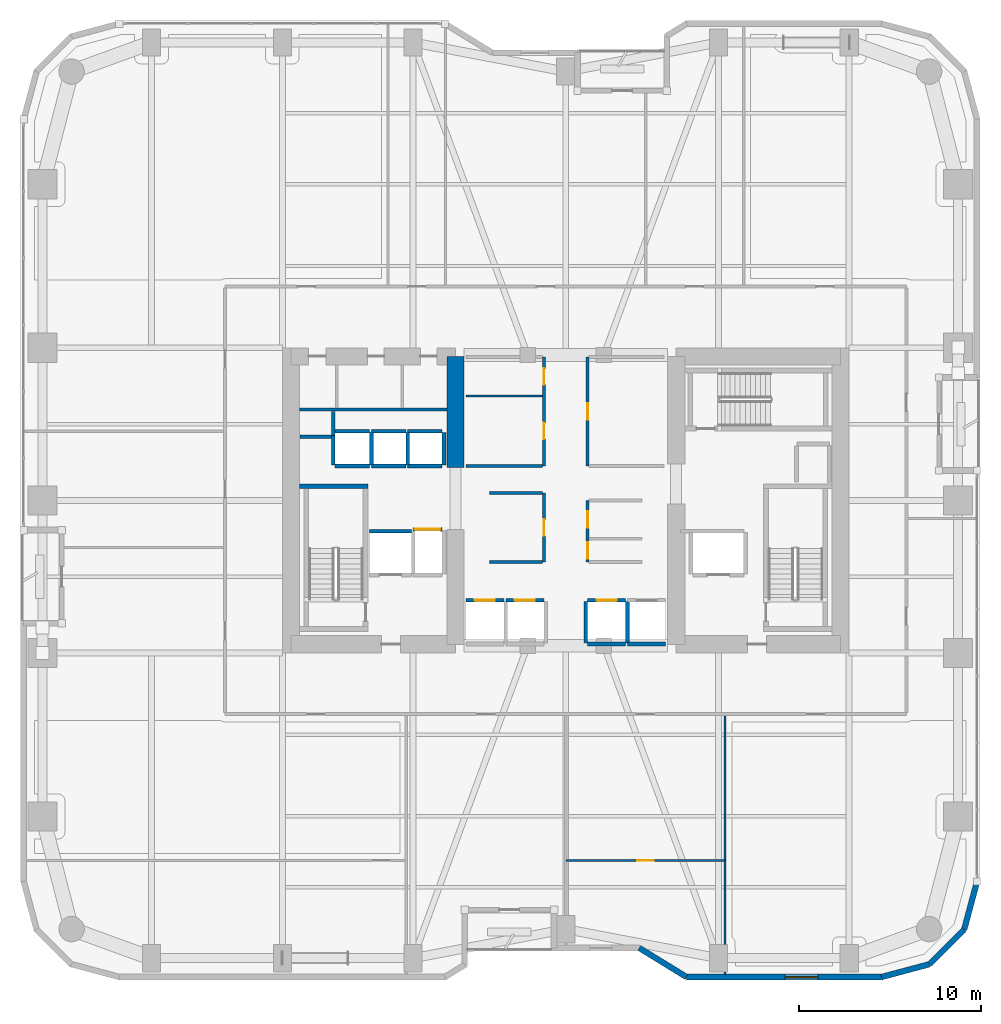
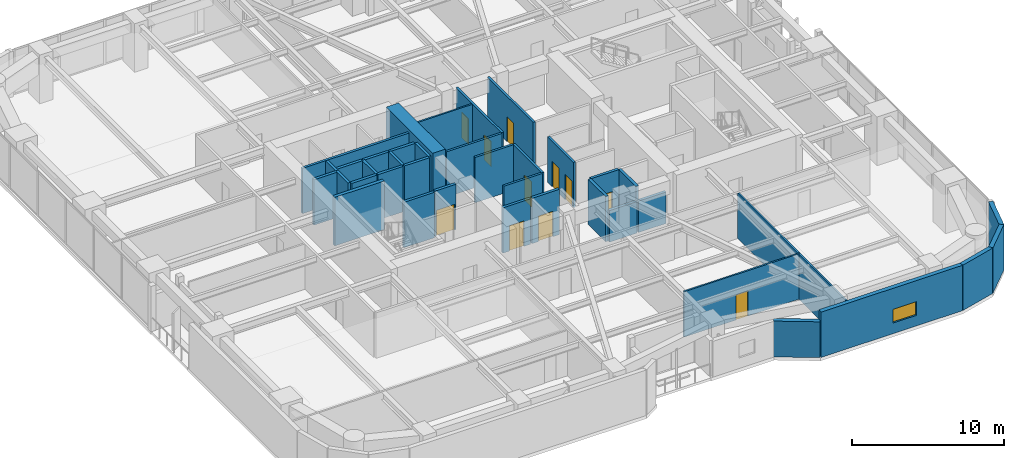
# One storey, part 19 of 24: 39 walls, 11 doors, 1 window, 12 openings.
"""IFC4 building model written with IfcOpenShell, lengths in metres."""

from ifc_helpers import new_model, si_unit, direction, frame, frame_2d, origin, place, context, subcontext, project, spatial, rectangle, extrude, material, layer, layer_set, type_object, element, fill, save


model = new_model("IFC4")

# Units and contexts
model_context = context("Model", 3, precision=1e-05, world=origin(), true_north=direction((0.0, 1.0)))
body_context = subcontext(model_context, "Body", "Model", "MODEL_VIEW")
ifc_project = project(units=[si_unit("LENGTHUNIT", "METRE"), si_unit("AREAUNIT", "SQUARE_METRE"), si_unit("VOLUMEUNIT", "CUBIC_METRE"), si_unit("PLANEANGLEUNIT", "RADIAN"), si_unit("MASSUNIT", "GRAM", prefix="KILO")], contexts=[model_context])

# Site, building, storey
site_placement = place(None, origin())
site = spatial("IfcSite", under=ifc_project, at=site_placement, CompositionType="ELEMENT")
building_placement = place(site_placement, origin())
building = spatial("IfcBuilding", under=site, at=building_placement, Name="Kiyonajd Concourse Tower", CompositionType="ELEMENT")
storey_placement = place(building_placement, frame((0.0, 0.0, 89.699951171875)))
storey = spatial("IfcBuildingStorey", under=building, at=storey_placement, Name="L23", CompositionType="ELEMENT", Elevation=89.699951171875)

# Walls
ifc_material_1 = material(Name="Concrete C80/95", Category="concrete")
ifc_layer_1 = layer(ifc_material_1, 0.949951171875)
ifc_layer_set_1 = layer_set([ifc_layer_1], Name="Concrete C80/95")
wall_type_1 = type_object("IfcWallType", Name="WL-CORE-950", PredefinedType="SHEAR", material=ifc_layer_set_1)
wall_1_placement = place(storey_placement, frame((41.925048828125, 37.800048828125, 0.0), z_axis=(0.0, 0.0, 1.0), x_axis=(0.0, 1.0, 0.0)))
element("IfcWall", 1, at=wall_1_placement, inside=storey, type_object=wall_type_1, Name="L23 West Core Inner North Shear Wall", PredefinedType="SHEAR", context=body_context, shape_type="SweptSolid", body=[
    extrude(rectangle(XDim=6.125, YDim=0.949951171875, at=frame_2d((3.0625, 0.0))), origin(), (0.0, 0.0, 1.0), 3.900146484375),
])
ifc_material_2 = material(Name="Precast concrete C50/60", Category="concrete")
ifc_layer_2 = layer(ifc_material_2, 0.320068359375)
ifc_layer_set_2 = layer_set([ifc_layer_2], Name="Precast concrete C50/60")
wall_type_2 = type_object("IfcWallType", Name="WL-EXT-320", PredefinedType="SOLIDWALL", material=ifc_layer_set_2)
wall_2_placement = place(storey_placement, frame((70.639892578125, 15.02099609375, 0.0), z_axis=(0.0, 0.0, 1.0), x_axis=(-0.258613949072, -0.965980758269, 0.0)))
element("IfcWall", 2, at=wall_2_placement, inside=storey, type_object=wall_type_2, Name="L23 Exterior Concrete Frame Wall 25", PredefinedType="SOLIDWALL", context=body_context, shape_type="SweptSolid", body=[
    extrude(rectangle(XDim=2.731201171875, YDim=0.320068359375, at=frame_2d((1.36572265625, 0.0))), origin(), (0.0, 0.0, 1.0), 3.64013671875),
])
wall_3_placement = place(storey_placement, frame((69.93359375, 12.3828125, 0.0), z_axis=(0.0, 0.0, 1.0), x_axis=(-0.707151821269, -0.707061738235, 0.0)))
element("IfcWall", 3, at=wall_3_placement, inside=storey, type_object=wall_type_2, Name="L23 Exterior Concrete Frame Wall 26", PredefinedType="SOLIDWALL", context=body_context, shape_type="SweptSolid", body=[
    extrude(rectangle(XDim=2.710205078125, YDim=0.320068359375, at=frame_2d((1.35498046875, 0.0))), origin(), (0.0, 0.0, 1.0), 3.64013671875),
])
wall_4_placement = place(storey_placement, frame((68.01708984375, 10.466552734375, 0.0), z_axis=(0.0, 0.0, 1.0), x_axis=(-0.965958423373, -0.25869736047, 0.0)))
element("IfcWall", 4, at=wall_4_placement, inside=storey, type_object=wall_type_2, Name="L23 Exterior Concrete Frame Wall 27", PredefinedType="SOLIDWALL", context=body_context, shape_type="SweptSolid", body=[
    extrude(rectangle(XDim=2.731201171875, YDim=0.320068359375, at=frame_2d((1.36572265625, 0.0))), origin(), (0.0, 0.0, 1.0), 3.64013671875),
])

# Wall, opening, window
wall_5_placement = place(storey_placement, frame((65.37890625, 9.760009765625, 0.0), z_axis=(0.0, 0.0, 1.0), x_axis=(-1.0, 0.0, 0.0)))
wall_5 = element("IfcWall", 5, at=wall_5_placement, inside=storey, type_object=wall_type_2, Name="L23 Exterior Concrete Frame Wall 28", PredefinedType="SOLIDWALL", context=body_context, shape_type="SweptSolid", body=[
    extrude(rectangle(XDim=10.733642578125, YDim=0.320068359375, at=frame_2d((5.36669921875, 0.0))), origin(), (0.0, 0.0, 1.0), 3.64013671875),
])
opening_1_placement = place(wall_5_placement, frame((3.4990234375, 0.0, 0.85009765625)))
opening_1 = element("IfcOpeningElement", 6, at=opening_1_placement, cuts=wall_5, Name="Opening WN1", PredefinedType="OPENING", context=body_context, shape_type="SweptSolid", body=[
    extrude(rectangle(XDim=1.800048828125, YDim=1.10009765625, at=frame_2d((0.89990234375, 0.550048828125))), frame((0.0, 0.169921875, 0.0), z_axis=(0.0, -1.0, 0.0), x_axis=(1.0, 0.0, 0.0)), (0.0, 0.0, 1.0), 0.340087890625),
])
ifc_material_3 = material(Name="Double Low-E Insulated Glass", Category="glass")
window_type = type_object("IfcWindowType", Name="WN-VIS-1800x1100", PartitioningType="SINGLE_PANEL", PredefinedType="WINDOW", material=ifc_material_3)
window_placement = place(opening_1_placement, origin())
window = element("IfcWindow", 7, at=window_placement, inside=storey, type_object=window_type, Name="L23 Modular Facade Vision Window 28", OverallHeight=1.10009765625, OverallWidth=1.800048828125, PartitioningType="SINGLE_PANEL", PredefinedType="WINDOW", context=body_context, shape_type="SweptSolid", body=[
    extrude(rectangle(XDim=1.800048828125, YDim=1.10009765625, at=frame_2d((0.89990234375, 0.550048828125))), frame((0.0, 0.030029296875, 0.0), z_axis=(0.0, -1.0, 0.0), x_axis=(1.0, 0.0, 0.0)), (0.0, 0.0, 1.0), 0.06005859375),
])
fill(opening_1, window)

# Walls
wall_6_placement = place(storey_placement, frame((54.645263671875, 9.760009765625, 0.0), z_axis=(0.0, 0.0, 1.0), x_axis=(-0.851630857047, 0.524142044989, 0.0)))
element("IfcWall", 8, at=wall_6_placement, inside=storey, type_object=wall_type_2, Name="L23 Exterior Concrete Frame Wall 29", PredefinedType="SOLIDWALL", context=body_context, shape_type="SweptSolid", body=[
    extrude(rectangle(XDim=3.052734375, YDim=0.320068359375, at=frame_2d((1.5263671875, 0.0))), origin(), (0.0, 0.0, 1.0), 2.875),
])
ifc_material_4 = material(Name="Gypsum Board on Cold-Formed Steel Stud", Category="steel")
ifc_layer_3 = layer(ifc_material_4, 0.125)
ifc_layer_set_3 = layer_set([ifc_layer_3], Name="Gypsum Board on Cold-Formed Steel Stud")
wall_type_3 = type_object("IfcWallType", Name="WL-PART-125", PredefinedType="PARTITIONING", material=ifc_layer_set_3)
wall_7_placement = place(storey_placement, frame((42.5, 41.739990234375, 0.0), z_axis=(0.0, 0.0, 1.0), x_axis=(1.0, 0.0, 0.0)))
element("IfcWall", 9, at=wall_7_placement, inside=storey, type_object=wall_type_3, Name="L23 Interior Partition Wall", PredefinedType="PARTITIONING", context=body_context, shape_type="SweptSolid", body=[
    extrude(rectangle(XDim=4.212890625, YDim=0.125, at=frame_2d((2.1064453125, 0.0))), origin(), (0.0, 0.0, 1.0), 3.64013671875),
])

# Wall, opening, door
wall_8_placement = place(storey_placement, frame((48.0, 16.179931640625, 0.0), z_axis=(0.0, 0.0, 1.0), x_axis=(1.0, 0.0, 0.0)))
wall_8 = element("IfcWall", 10, at=wall_8_placement, inside=storey, type_object=wall_type_3, Name="L23 Interior Partition Wall", PredefinedType="PARTITIONING", context=body_context, shape_type="SweptSolid", body=[
    extrude(rectangle(XDim=8.77001953125, YDim=0.125, at=frame_2d((4.385009765625, 0.0))), origin(), (0.0, 0.0, 1.0), 3.64013671875),
])
opening_2_placement = place(wall_8_placement, frame((3.93505859375, 0.0, 0.0)))
opening_2 = element("IfcOpeningElement", 11, at=opening_2_placement, cuts=wall_8, Name="Opening DI2", PredefinedType="OPENING", context=body_context, shape_type="SweptSolid", body=[
    extrude(rectangle(XDim=0.89990234375, YDim=2.02001953125, at=frame_2d((0.449951171875, 1.010009765625))), frame((0.0, 0.072509765625, 0.0), z_axis=(0.0, -1.0, 0.0), x_axis=(1.0, 0.0, 0.0)), (0.0, 0.0, 1.0), 0.14501953125),
])
ifc_material_5 = material(Name="Natural Oak Acoustic Timber Veneer", Category="wood")
door_type_1 = type_object("IfcDoorType", Name="DR-INT-900", OperationType="NOTDEFINED", PredefinedType="DOOR", material=ifc_material_5)
door_1_placement = place(opening_2_placement, origin())
door_1 = element("IfcDoor", 12, at=door_1_placement, inside=storey, type_object=door_type_1, Name="L23 Interior Door", OperationType="SINGLE_SWING_LEFT", OverallHeight=2.02001953125, OverallWidth=0.89990234375, PredefinedType="DOOR", context=body_context, shape_type="SweptSolid", body=[
    extrude(rectangle(XDim=0.89990234375, YDim=2.02001953125, at=frame_2d((0.449951171875, 1.010009765625))), frame((0.0, 0.02490234375, 0.0), z_axis=(0.0, -1.0, 0.0), x_axis=(1.0, 0.0, 0.0)), (0.0, 0.0, 1.0), 0.050048828125),
])
fill(opening_2, door_1)

# Walls
wall_9_placement = place(storey_placement, frame((56.77001953125, 9.9150390625, 0.0), z_axis=(0.0, 0.0, 1.0), x_axis=(0.0, 1.0, 0.0)))
element("IfcWall", 13, at=wall_9_placement, inside=storey, type_object=wall_type_3, Name="L23 Interior Partition Wall", PredefinedType="PARTITIONING", context=body_context, shape_type="SweptSolid", body=[
    extrude(rectangle(XDim=14.22802734375, YDim=0.125, at=frame_2d((7.114013671875, 0.0))), origin(), (0.0, 0.0, 1.0), 3.64013671875),
])
ifc_layer_4 = layer(ifc_material_4, 0.18994140625)
ifc_layer_set_4 = layer_set([ifc_layer_4], Name="Gypsum Board on Cold-Formed Steel Stud")
wall_type_4 = type_object("IfcWallType", Name="WL-PLMB-190", PredefinedType="PLUMBINGWALL", material=ifc_layer_set_4)
wall_10_placement = place(storey_placement, frame((33.35009765625, 41.0, 0.0), z_axis=(0.0, 0.0, 1.0), x_axis=(1.0, 0.0, 0.0)))
element("IfcWall", 14, at=wall_10_placement, inside=storey, type_object=wall_type_4, Name="L23 Interior Partition Wall", PredefinedType="PLUMBINGWALL", context=body_context, shape_type="SweptSolid", body=[
    extrude(rectangle(XDim=8.099853515625, YDim=0.18994140625, at=frame_2d((4.0498046875, 0.0))), origin(), (0.0, 0.0, 1.0), 3.64013671875),
])
ifc_layer_5 = layer(ifc_material_4, 0.2099609375)
ifc_layer_set_5 = layer_set([ifc_layer_5], Name="Gypsum Board on Cold-Formed Steel Stud")
wall_type_5 = type_object("IfcWallType", Name="WL-SHAFT-210", PredefinedType="PARTITIONING", material=ifc_layer_set_5)
wall_11_placement = place(storey_placement, frame((33.360107421875, 39.5, 0.0), z_axis=(0.0, 0.0, 1.0), x_axis=(1.0, 0.0, 0.0)))
element("IfcWall", 15, at=wall_11_placement, inside=storey, type_object=wall_type_5, Name="L23 Shaft Enclosure Wall", PredefinedType="PARTITIONING", context=body_context, shape_type="SweptSolid", body=[
    extrude(rectangle(XDim=1.85986328125, YDim=0.2099609375, at=frame_2d((0.929931640625, 0.0))), origin(), (0.0, 0.0, 1.0), 3.64013671875),
])
wall_12_placement = place(storey_placement, frame((35.199951171875, 39.580078125, 0.0), z_axis=(0.0, 0.0, 1.0), x_axis=(0.0, 1.0, 0.0)))
element("IfcWall", 16, at=wall_12_placement, inside=storey, type_object=wall_type_5, Name="L23 Shaft Enclosure Wall", PredefinedType="PARTITIONING", context=body_context, shape_type="SweptSolid", body=[
    extrude(rectangle(XDim=1.31982421875, YDim=0.2099609375, at=frame_2d((0.659912109375, 0.0))), origin(), (0.0, 0.0, 1.0), 3.64013671875),
])
wall_13_placement = place(storey_placement, frame((37.199951171875, 34.300048828125, 0.0), z_axis=(0.0, 0.0, 1.0), x_axis=(1.0, 0.0, 0.0)))
element("IfcWall", 17, at=wall_13_placement, inside=storey, type_object=wall_type_5, Name="L23 Shaft Enclosure Wall", PredefinedType="PARTITIONING", context=body_context, shape_type="SweptSolid", body=[
    extrude(rectangle(XDim=2.300048828125, YDim=0.2099609375, at=frame_2d((1.14990234375, 0.0))), origin(), (0.0, 0.0, 1.0), 3.64013671875),
])

# Wall, opening, door
wall_14_placement = place(storey_placement, frame((39.60009765625, 34.39990234375, 0.0), z_axis=(0.0, 0.0, 1.0), x_axis=(1.0, 0.0, 0.0)))
wall_14 = element("IfcWall", 18, at=wall_14_placement, inside=storey, type_object=wall_type_5, Name="L23 Shaft Enclosure Wall", PredefinedType="PARTITIONING", context=body_context, shape_type="SweptSolid", body=[
    extrude(rectangle(XDim=1.599853515625, YDim=0.2099609375, at=frame_2d((0.7998046875, 0.0))), origin(), (0.0, 0.0, 1.0), 3.64013671875),
])
opening_3_placement = place(wall_14_placement, frame((0.10009765625, 0.0, 0.0)))
opening_3 = element("IfcOpeningElement", 19, at=opening_3_placement, cuts=wall_14, Name="Opening LD3", PredefinedType="OPENING", context=body_context, shape_type="SweptSolid", body=[
    extrude(rectangle(XDim=1.39990234375, YDim=2.06005859375, at=frame_2d((0.699951171875, 1.030029296875))), frame((0.0, 0.114990234375, 0.0), z_axis=(0.0, -1.0, 0.0), x_axis=(1.0, 0.0, 0.0)), (0.0, 0.0, 1.0), 0.22998046875),
])
ifc_material_6 = material(Name="Brushed Stainless Steel Cab Assembly", Category="steel")
door_type_2 = type_object("IfcDoorType", Name="DR-LD-1400", OperationType="DOUBLE_DOOR_SLIDING", PredefinedType="DOOR", material=ifc_material_6)
door_2_placement = place(opening_3_placement, origin())
door_2 = element("IfcDoor", 20, at=door_2_placement, inside=storey, type_object=door_type_2, Name="L23 Lift SVL1 Sliding Landing Door", OperationType="DOUBLE_DOOR_SLIDING", OverallHeight=2.06005859375, OverallWidth=1.39990234375, PredefinedType="DOOR", context=body_context, shape_type="SweptSolid", body=[
    extrude(rectangle(XDim=1.39990234375, YDim=2.06005859375, at=frame_2d((0.699951171875, 1.030029296875))), frame((0.0, 0.02490234375, 0.0), z_axis=(0.0, -1.0, 0.0), x_axis=(1.0, 0.0, 0.0)), (0.0, 0.0, 1.0), 0.050048828125),
])
fill(opening_3, door_2)

wall_15_placement = place(storey_placement, frame((42.5, 30.5, 0.0), z_axis=(0.0, 0.0, 1.0), x_axis=(1.0, 0.0, 0.0)))
wall_15 = element("IfcWall", 21, at=wall_15_placement, inside=storey, type_object=wall_type_5, Name="L23 Shaft Enclosure Wall", PredefinedType="PARTITIONING", context=body_context, shape_type="SweptSolid", body=[
    extrude(rectangle(XDim=2.10009765625, YDim=0.2099609375, at=frame_2d((1.050048828125, 0.0))), origin(), (0.0, 0.0, 1.0), 3.64013671875),
])
opening_4_placement = place(wall_15_placement, frame((0.5, 0.0, 0.0)))
opening_4 = element("IfcOpeningElement", 22, at=opening_4_placement, cuts=wall_15, Name="Opening LD1", PredefinedType="OPENING", context=body_context, shape_type="SweptSolid", body=[
    extrude(rectangle(XDim=1.10009765625, YDim=2.0400390625, at=frame_2d((0.550048828125, 1.02001953125))), frame((0.0, 0.114990234375, 0.0), z_axis=(0.0, -1.0, 0.0), x_axis=(1.0, 0.0, 0.0)), (0.0, 0.0, 1.0), 0.22998046875),
])
door_type_3 = type_object("IfcDoorType", Name="DR-LD-1100", OperationType="DOUBLE_DOOR_SLIDING", PredefinedType="DOOR", material=ifc_material_6)
door_3_placement = place(opening_4_placement, origin())
door_3 = element("IfcDoor", 23, at=door_3_placement, inside=storey, type_object=door_type_3, Name="L23 Lift PL-L1 Sliding Landing Door", OperationType="DOUBLE_DOOR_SLIDING", OverallHeight=2.0400390625, OverallWidth=1.10009765625, PredefinedType="DOOR", context=body_context, shape_type="SweptSolid", body=[
    extrude(rectangle(XDim=1.10009765625, YDim=2.0400390625, at=frame_2d((0.550048828125, 1.02001953125))), frame((0.0, 0.02490234375, 0.0), z_axis=(0.0, -1.0, 0.0), x_axis=(1.0, 0.0, 0.0)), (0.0, 0.0, 1.0), 0.050048828125),
])
fill(opening_4, door_3)

wall_16_placement = place(storey_placement, frame((44.699951171875, 30.5, 0.0), z_axis=(0.0, 0.0, 1.0), x_axis=(1.0, 0.0, 0.0)))
wall_16 = element("IfcWall", 24, at=wall_16_placement, inside=storey, type_object=wall_type_5, Name="L23 Shaft Enclosure Wall", PredefinedType="PARTITIONING", context=body_context, shape_type="SweptSolid", body=[
    extrude(rectangle(XDim=2.10009765625, YDim=0.2099609375, at=frame_2d((1.050048828125, 0.0))), origin(), (0.0, 0.0, 1.0), 3.64013671875),
])
opening_5_placement = place(wall_16_placement, frame((0.5, 0.0, 0.0)))
opening_5 = element("IfcOpeningElement", 25, at=opening_5_placement, cuts=wall_16, Name="Opening LD1", PredefinedType="OPENING", context=body_context, shape_type="SweptSolid", body=[
    extrude(rectangle(XDim=1.10009765625, YDim=2.0400390625, at=frame_2d((0.550048828125, 1.02001953125))), frame((0.0, 0.114990234375, 0.0), z_axis=(0.0, -1.0, 0.0), x_axis=(1.0, 0.0, 0.0)), (0.0, 0.0, 1.0), 0.22998046875),
])
door_4_placement = place(opening_5_placement, origin())
door_4 = element("IfcDoor", 26, at=door_4_placement, inside=storey, type_object=door_type_3, Name="L23 Lift PL-L2 Sliding Landing Door", OperationType="DOUBLE_DOOR_SLIDING", OverallHeight=2.0400390625, OverallWidth=1.10009765625, PredefinedType="DOOR", context=body_context, shape_type="SweptSolid", body=[
    extrude(rectangle(XDim=1.10009765625, YDim=2.0400390625, at=frame_2d((0.550048828125, 1.02001953125))), frame((0.0, 0.02490234375, 0.0), z_axis=(0.0, -1.0, 0.0), x_axis=(1.0, 0.0, 0.0)), (0.0, 0.0, 1.0), 0.050048828125),
])
fill(opening_5, door_4)

wall_17_placement = place(storey_placement, frame((49.199951171875, 30.5, 0.0), z_axis=(0.0, 0.0, 1.0), x_axis=(1.0, 0.0, 0.0)))
wall_17 = element("IfcWall", 27, at=wall_17_placement, inside=storey, type_object=wall_type_5, Name="L23 Shaft Enclosure Wall", PredefinedType="PARTITIONING", context=body_context, shape_type="SweptSolid", body=[
    extrude(rectangle(XDim=2.10009765625, YDim=0.2099609375, at=frame_2d((1.050048828125, 0.0))), origin(), (0.0, 0.0, 1.0), 3.64013671875),
])
opening_6_placement = place(wall_17_placement, frame((0.5, 0.0, 0.0)))
opening_6 = element("IfcOpeningElement", 28, at=opening_6_placement, cuts=wall_17, Name="Opening LD1", PredefinedType="OPENING", context=body_context, shape_type="SweptSolid", body=[
    extrude(rectangle(XDim=1.10009765625, YDim=2.0400390625, at=frame_2d((0.550048828125, 1.02001953125))), frame((0.0, 0.114990234375, 0.0), z_axis=(0.0, -1.0, 0.0), x_axis=(1.0, 0.0, 0.0)), (0.0, 0.0, 1.0), 0.22998046875),
])
door_5_placement = place(opening_6_placement, origin())
door_5 = element("IfcDoor", 29, at=door_5_placement, inside=storey, type_object=door_type_3, Name="L23 Lift PL-L3 Sliding Landing Door", OperationType="DOUBLE_DOOR_SLIDING", OverallHeight=2.0400390625, OverallWidth=1.10009765625, PredefinedType="DOOR", context=body_context, shape_type="SweptSolid", body=[
    extrude(rectangle(XDim=1.10009765625, YDim=2.0400390625, at=frame_2d((0.550048828125, 1.02001953125))), frame((0.0, 0.02490234375, 0.0), z_axis=(0.0, -1.0, 0.0), x_axis=(1.0, 0.0, 0.0)), (0.0, 0.0, 1.0), 0.050048828125),
])
fill(opening_6, door_5)

# Walls
wall_18_placement = place(storey_placement, frame((49.199951171875, 28.10009765625, 0.0), z_axis=(0.0, 0.0, 1.0), x_axis=(1.0, 0.0, 0.0)))
element("IfcWall", 30, at=wall_18_placement, inside=storey, type_object=wall_type_5, Name="L23 Shaft Enclosure Wall", PredefinedType="PARTITIONING", context=body_context, shape_type="SweptSolid", body=[
    extrude(rectangle(XDim=2.10009765625, YDim=0.2099609375, at=frame_2d((1.050048828125, 0.0))), origin(), (0.0, 0.0, 1.0), 2.525146484375),
])
for number, where, z_axis, x_axis, name in (
    (31, (49.10009765625, 28.159912109375, 0.0), (0.0, 0.0, 1.0), (0.0, 1.0, 0.0), "L23 Shaft Enclosure Wall"),
    (32, (51.39990234375, 28.159912109375, 0.0), (0.0, 0.0, 1.0), (0.0, 1.0, 0.0), "L23 Shaft Enclosure Wall"),
):
    element("IfcWall", number, at=place(storey_placement, frame(where, z_axis=z_axis, x_axis=x_axis)), inside=storey, type_object=wall_type_5, Name=name, PredefinedType="PARTITIONING", context=body_context, shape_type="SweptSolid", body=[
        extrude(rectangle(XDim=2.280029296875, YDim=0.2099609375, at=frame_2d((1.14013671875, 0.0))), origin(), (0.0, 0.0, 1.0), 3.64013671875),
    ])
wall_19_placement = place(storey_placement, frame((51.39990234375, 28.10009765625, 0.0), z_axis=(0.0, 0.0, 1.0), x_axis=(1.0, 0.0, 0.0)))
element("IfcWall", 33, at=wall_19_placement, inside=storey, type_object=wall_type_5, Name="L23 Shaft Enclosure Wall", PredefinedType="PARTITIONING", context=body_context, shape_type="SweptSolid", body=[
    extrude(rectangle(XDim=2.10009765625, YDim=0.2099609375, at=frame_2d((1.050048828125, 0.0))), origin(), (0.0, 0.0, 1.0), 2.525146484375),
])
for number, where, z_axis, x_axis, name in (
    (34, (35.300048828125, 37.89990234375, 0.0), (0.0, 0.0, 1.0), (1.0, 0.0, 0.0), "L23 Shaft Enclosure Wall"),
    (35, (35.300048828125, 39.800048828125, 0.0), (0.0, 0.0, 1.0), (1.0, 0.0, 0.0), "L23 Shaft Enclosure Wall"),
):
    element("IfcWall", number, at=place(storey_placement, frame(where, z_axis=z_axis, x_axis=x_axis)), inside=storey, type_object=wall_type_5, Name=name, PredefinedType="PARTITIONING", context=body_context, shape_type="SweptSolid", body=[
        extrude(rectangle(XDim=1.89990234375, YDim=0.2099609375, at=frame_2d((0.949951171875, 0.0))), origin(), (0.0, 0.0, 1.0), 3.64013671875),
    ])
wall_20_placement = place(storey_placement, frame((35.199951171875, 37.9599609375, 0.0), z_axis=(0.0, 0.0, 1.0), x_axis=(0.0, 1.0, 0.0)))
element("IfcWall", 36, at=wall_20_placement, inside=storey, type_object=wall_type_5, Name="L23 Shaft Enclosure Wall", PredefinedType="PARTITIONING", context=body_context, shape_type="SweptSolid", body=[
    extrude(rectangle(XDim=1.6201171875, YDim=0.2099609375, at=frame_2d((0.81005859375, 0.0))), origin(), (0.0, 0.0, 1.0), 3.64013671875),
])
wall_21_placement = place(storey_placement, frame((37.300048828125, 37.9599609375, 0.0), z_axis=(0.0, 0.0, 1.0), x_axis=(0.0, 1.0, 0.0)))
element("IfcWall", 37, at=wall_21_placement, inside=storey, type_object=wall_type_5, Name="L23 Shaft Enclosure Wall", PredefinedType="PARTITIONING", context=body_context, shape_type="SweptSolid", body=[
    extrude(rectangle(XDim=1.780029296875, YDim=0.2099609375, at=frame_2d((0.89013671875, 0.0))), origin(), (0.0, 0.0, 1.0), 3.64013671875),
])
for number, where, z_axis, x_axis, name in (
    (38, (37.300048828125, 37.89990234375, 0.0), (0.0, 0.0, 1.0), (1.0, 0.0, 0.0), "L23 Shaft Enclosure Wall"),
    (39, (37.300048828125, 39.800048828125, 0.0), (0.0, 0.0, 1.0), (1.0, 0.0, 0.0), "L23 Shaft Enclosure Wall"),
):
    element("IfcWall", number, at=place(storey_placement, frame(where, z_axis=z_axis, x_axis=x_axis)), inside=storey, type_object=wall_type_5, Name=name, PredefinedType="PARTITIONING", context=body_context, shape_type="SweptSolid", body=[
        extrude(rectangle(XDim=1.89990234375, YDim=0.2099609375, at=frame_2d((0.949951171875, 0.0))), origin(), (0.0, 0.0, 1.0), 3.64013671875),
    ])
wall_22_placement = place(storey_placement, frame((39.300048828125, 37.9599609375, 0.0), z_axis=(0.0, 0.0, 1.0), x_axis=(0.0, 1.0, 0.0)))
element("IfcWall", 40, at=wall_22_placement, inside=storey, type_object=wall_type_5, Name="L23 Shaft Enclosure Wall", PredefinedType="PARTITIONING", context=body_context, shape_type="SweptSolid", body=[
    extrude(rectangle(XDim=1.780029296875, YDim=0.2099609375, at=frame_2d((0.89013671875, 0.0))), origin(), (0.0, 0.0, 1.0), 3.64013671875),
])
for number, where, z_axis, x_axis, name in (
    (41, (39.300048828125, 37.89990234375, 0.0), (0.0, 0.0, 1.0), (1.0, 0.0, 0.0), "L23 Shaft Enclosure Wall"),
    (42, (39.300048828125, 39.800048828125, 0.0), (0.0, 0.0, 1.0), (1.0, 0.0, 0.0), "L23 Shaft Enclosure Wall"),
):
    element("IfcWall", number, at=place(storey_placement, frame(where, z_axis=z_axis, x_axis=x_axis)), inside=storey, type_object=wall_type_5, Name=name, PredefinedType="PARTITIONING", context=body_context, shape_type="SweptSolid", body=[
        extrude(rectangle(XDim=1.89990234375, YDim=0.2099609375, at=frame_2d((0.949951171875, 0.0))), origin(), (0.0, 0.0, 1.0), 3.64013671875),
    ])
wall_23_placement = place(storey_placement, frame((41.300048828125, 37.9599609375, 0.0), z_axis=(0.0, 0.0, 1.0), x_axis=(0.0, 1.0, 0.0)))
element("IfcWall", 43, at=wall_23_placement, inside=storey, type_object=wall_type_5, Name="L23 Shaft Enclosure Wall", PredefinedType="PARTITIONING", context=body_context, shape_type="SweptSolid", body=[
    extrude(rectangle(XDim=1.780029296875, YDim=0.2099609375, at=frame_2d((0.89013671875, 0.0))), origin(), (0.0, 0.0, 1.0), 3.64013671875),
])

# Wall, opening, door
ifc_layer_6 = layer(ifc_material_4, 0.169921875)
ifc_layer_set_6 = layer_set([ifc_layer_6], Name="Gypsum Board on Cold-Formed Steel Stud")
wall_type_6 = type_object("IfcWallType", Name="WL-SMK-170", PredefinedType="PARTITIONING", material=ifc_layer_set_6)
wall_24_placement = place(storey_placement, frame((46.800048828125, 32.60009765625, 0.0), z_axis=(0.0, 0.0, 1.0), x_axis=(0.0, 1.0, 0.0)))
wall_24 = element("IfcWall", 44, at=wall_24_placement, inside=storey, type_object=wall_type_6, Name="L23 Interior Partition Wall", PredefinedType="PARTITIONING", context=body_context, shape_type="SweptSolid", body=[
    extrude(rectangle(XDim=3.7998046875, YDim=0.169921875, at=frame_2d((1.89990234375, 0.0))), origin(), (0.0, 0.0, 1.0), 3.64013671875),
])
opening_7_placement = place(wall_24_placement, frame((1.449951171875, 0.0, 0.0)))
opening_7 = element("IfcOpeningElement", 45, at=opening_7_placement, cuts=wall_24, Name="Opening DI2", PredefinedType="OPENING", context=body_context, shape_type="SweptSolid", body=[
    extrude(rectangle(XDim=0.89990234375, YDim=2.02001953125, at=frame_2d((0.449951171875, 1.010009765625))), frame((0.0, 0.094970703125, 0.0), z_axis=(0.0, -1.0, 0.0), x_axis=(1.0, 0.0, 0.0)), (0.0, 0.0, 1.0), 0.18994140625),
])
door_6_placement = place(opening_7_placement, origin())
door_6 = element("IfcDoor", 46, at=door_6_placement, inside=storey, type_object=door_type_1, Name="L23 Interior Door", OperationType="SINGLE_SWING_RIGHT", OverallHeight=2.02001953125, OverallWidth=0.89990234375, PredefinedType="DOOR", context=body_context, shape_type="SweptSolid", body=[
    extrude(rectangle(XDim=0.89990234375, YDim=2.02001953125, at=frame_2d((0.449951171875, 1.010009765625))), frame((0.0, 0.02490234375, 0.0), z_axis=(0.0, -1.0, 0.0), x_axis=(1.0, 0.0, 0.0)), (0.0, 0.0, 1.0), 0.050048828125),
])
fill(opening_7, door_6)

# Walls
for number, where, z_axis, x_axis, name in (
    (47, (43.800048828125, 32.60009765625, 0.0), (0.0, 0.0, 1.0), (1.0, 0.0, 0.0), "L23 Interior Partition Wall"),
    (48, (43.800048828125, 36.39990234375, 0.0), (0.0, 0.0, 1.0), (1.0, 0.0, 0.0), "L23 Interior Partition Wall"),
):
    element("IfcWall", number, at=place(storey_placement, frame(where, z_axis=z_axis, x_axis=x_axis)), inside=storey, type_object=wall_type_6, Name=name, PredefinedType="PARTITIONING", context=body_context, shape_type="SweptSolid", body=[
        extrude(rectangle(XDim=2.912841796875, YDim=0.169921875, at=frame_2d((1.45654296875, 0.0))), origin(), (0.0, 0.0, 1.0), 3.64013671875),
    ])

# Wall, openings, doors
wall_25_placement = place(storey_placement, frame((49.199951171875, 32.60009765625, 0.0), z_axis=(0.0, 0.0, 1.0), x_axis=(0.0, 1.0, 0.0)))
wall_25 = element("IfcWall", 49, at=wall_25_placement, inside=storey, type_object=wall_type_6, Name="L23 Interior Partition Wall", PredefinedType="PARTITIONING", context=body_context, shape_type="SweptSolid", body=[
    extrude(rectangle(XDim=3.39990234375, YDim=0.169921875, at=frame_2d((1.699951171875, 0.0))), origin(), (0.0, 0.0, 1.0), 3.64013671875),
])
opening_8_placement = place(wall_25_placement, frame((0.196044921875, 0.0, 0.0)))
opening_8 = element("IfcOpeningElement", 50, at=opening_8_placement, cuts=wall_25, Name="Opening DI2", PredefinedType="OPENING", context=body_context, shape_type="SweptSolid", body=[
    extrude(rectangle(XDim=0.89990234375, YDim=2.02001953125, at=frame_2d((0.449951171875, 1.010009765625))), frame((0.0, 0.094970703125, 0.0), z_axis=(0.0, -1.0, 0.0), x_axis=(1.0, 0.0, 0.0)), (0.0, 0.0, 1.0), 0.18994140625),
])
opening_9_placement = place(wall_25_placement, frame((1.89599609375, 0.0, 0.0)))
opening_9 = element("IfcOpeningElement", 51, at=opening_9_placement, cuts=wall_25, Name="Opening DI2", PredefinedType="OPENING", context=body_context, shape_type="SweptSolid", body=[
    extrude(rectangle(XDim=0.89990234375, YDim=2.02001953125, at=frame_2d((0.449951171875, 1.010009765625))), frame((0.0, 0.094970703125, 0.0), z_axis=(0.0, -1.0, 0.0), x_axis=(1.0, 0.0, 0.0)), (0.0, 0.0, 1.0), 0.18994140625),
])
door_7_placement = place(opening_8_placement, origin())
door_7 = element("IfcDoor", 52, at=door_7_placement, inside=storey, type_object=door_type_1, Name="L23 Interior Door", OperationType="SINGLE_SWING_LEFT", OverallHeight=2.02001953125, OverallWidth=0.89990234375, PredefinedType="DOOR", context=body_context, shape_type="SweptSolid", body=[
    extrude(rectangle(XDim=0.89990234375, YDim=2.02001953125, at=frame_2d((0.449951171875, 1.010009765625))), frame((0.0, 0.02490234375, 0.0), z_axis=(0.0, -1.0, 0.0), x_axis=(1.0, 0.0, 0.0)), (0.0, 0.0, 1.0), 0.050048828125),
])
fill(opening_8, door_7)
door_8_placement = place(opening_9_placement, origin())
door_8 = element("IfcDoor", 53, at=door_8_placement, inside=storey, type_object=door_type_1, Name="L23 Interior Door", OperationType="SINGLE_SWING_RIGHT", OverallHeight=2.02001953125, OverallWidth=0.89990234375, PredefinedType="DOOR", context=body_context, shape_type="SweptSolid", body=[
    extrude(rectangle(XDim=0.89990234375, YDim=2.02001953125, at=frame_2d((0.449951171875, 1.010009765625))), frame((0.0, 0.02490234375, 0.0), z_axis=(0.0, -1.0, 0.0), x_axis=(1.0, 0.0, 0.0)), (0.0, 0.0, 1.0), 0.050048828125),
])
fill(opening_9, door_8)

wall_26_placement = place(storey_placement, frame((46.800048828125, 37.89990234375, 0.0), z_axis=(0.0, 0.0, 1.0), x_axis=(0.0, 1.0, 0.0)))
wall_26 = element("IfcWall", 54, at=wall_26_placement, inside=storey, type_object=wall_type_6, Name="L23 Interior Partition Wall", PredefinedType="PARTITIONING", context=body_context, shape_type="SweptSolid", body=[
    extrude(rectangle(XDim=6.0, YDim=0.169921875, at=frame_2d((3.0, 0.0))), origin(), (0.0, 0.0, 1.0), 3.64013671875),
])
opening_10_placement = place(wall_26_placement, frame((1.469970703125, 0.0, 0.0)))
opening_10 = element("IfcOpeningElement", 55, at=opening_10_placement, cuts=wall_26, Name="Opening DF4", PredefinedType="OPENING", context=body_context, shape_type="SweptSolid", body=[
    extrude(rectangle(XDim=0.89990234375, YDim=2.02001953125, at=frame_2d((0.449951171875, 1.010009765625))), frame((0.0, 0.094970703125, 0.0), z_axis=(0.0, -1.0, 0.0), x_axis=(1.0, 0.0, 0.0)), (0.0, 0.0, 1.0), 0.18994140625),
])
opening_11_placement = place(wall_26_placement, frame((4.469970703125, 0.0, 0.0)))
opening_11 = element("IfcOpeningElement", 56, at=opening_11_placement, cuts=wall_26, Name="Opening DF4", PredefinedType="OPENING", context=body_context, shape_type="SweptSolid", body=[
    extrude(rectangle(XDim=0.89990234375, YDim=2.02001953125, at=frame_2d((0.449951171875, 1.010009765625))), frame((0.0, 0.094970703125, 0.0), z_axis=(0.0, -1.0, 0.0), x_axis=(1.0, 0.0, 0.0)), (0.0, 0.0, 1.0), 0.18994140625),
])
door_type_4 = type_object("IfcDoorType", Name="DR-FD60-900", OperationType="NOTDEFINED", PredefinedType="DOOR", material=ifc_material_6)
door_9_placement = place(opening_10_placement, origin())
door_9 = element("IfcDoor", 57, at=door_9_placement, inside=storey, type_object=door_type_4, Name="L23 Interior Door", OperationType="SINGLE_SWING_LEFT", OverallHeight=2.02001953125, OverallWidth=0.89990234375, PredefinedType="DOOR", context=body_context, shape_type="SweptSolid", body=[
    extrude(rectangle(XDim=0.89990234375, YDim=2.02001953125, at=frame_2d((0.449951171875, 1.010009765625))), frame((0.0, 0.02490234375, 0.0), z_axis=(0.0, -1.0, 0.0), x_axis=(1.0, 0.0, 0.0)), (0.0, 0.0, 1.0), 0.050048828125),
])
fill(opening_10, door_9)
door_10_placement = place(opening_11_placement, origin())
door_10 = element("IfcDoor", 58, at=door_10_placement, inside=storey, type_object=door_type_4, Name="L23 Interior Door", OperationType="SINGLE_SWING_RIGHT", OverallHeight=2.02001953125, OverallWidth=0.89990234375, PredefinedType="DOOR", context=body_context, shape_type="SweptSolid", body=[
    extrude(rectangle(XDim=0.89990234375, YDim=2.02001953125, at=frame_2d((0.449951171875, 1.010009765625))), frame((0.0, 0.02490234375, 0.0), z_axis=(0.0, -1.0, 0.0), x_axis=(1.0, 0.0, 0.0)), (0.0, 0.0, 1.0), 0.050048828125),
])
fill(opening_11, door_10)

# Wall
wall_27_placement = place(storey_placement, frame((42.5, 37.89990234375, 0.0), z_axis=(0.0, 0.0, 1.0), x_axis=(1.0, 0.0, 0.0)))
element("IfcWall", 59, at=wall_27_placement, inside=storey, type_object=wall_type_6, Name="L23 Interior Partition Wall", PredefinedType="PARTITIONING", context=body_context, shape_type="SweptSolid", body=[
    extrude(rectangle(XDim=4.212890625, YDim=0.169921875, at=frame_2d((2.1064453125, 0.0))), origin(), (0.0, 0.0, 1.0), 3.64013671875),
])

# Wall, opening, door
wall_28_placement = place(storey_placement, frame((49.199951171875, 37.89990234375, 0.0), z_axis=(0.0, 0.0, 1.0), x_axis=(0.0, 1.0, 0.0)))
wall_28 = element("IfcWall", 60, at=wall_28_placement, inside=storey, type_object=wall_type_6, Name="L23 Interior Partition Wall", PredefinedType="PARTITIONING", context=body_context, shape_type="SweptSolid", body=[
    extrude(rectangle(XDim=6.0, YDim=0.169921875, at=frame_2d((3.0, 0.0))), origin(), (0.0, 0.0, 1.0), 3.64013671875),
])
opening_12_placement = place(wall_28_placement, frame((2.550048828125, 0.0, 0.0)))
opening_12 = element("IfcOpeningElement", 61, at=opening_12_placement, cuts=wall_28, Name="Opening DI2", PredefinedType="OPENING", context=body_context, shape_type="SweptSolid", body=[
    extrude(rectangle(XDim=0.89990234375, YDim=2.02001953125, at=frame_2d((0.449951171875, 1.010009765625))), frame((0.0, 0.094970703125, 0.0), z_axis=(0.0, -1.0, 0.0), x_axis=(1.0, 0.0, 0.0)), (0.0, 0.0, 1.0), 0.18994140625),
])
door_11_placement = place(opening_12_placement, origin())
door_11 = element("IfcDoor", 62, at=door_11_placement, inside=storey, type_object=door_type_1, Name="L23 Interior Door", OperationType="SINGLE_SWING_LEFT", OverallHeight=2.02001953125, OverallWidth=0.89990234375, PredefinedType="DOOR", context=body_context, shape_type="SweptSolid", body=[
    extrude(rectangle(XDim=0.89990234375, YDim=2.02001953125, at=frame_2d((0.449951171875, 1.010009765625))), frame((0.0, 0.02490234375, 0.0), z_axis=(0.0, -1.0, 0.0), x_axis=(1.0, 0.0, 0.0)), (0.0, 0.0, 1.0), 0.050048828125),
])
fill(opening_12, door_11)

# Wall
ifc_material_7 = material(Name="Concrete C50/60", Category="concrete")
ifc_layer_7 = layer(ifc_material_7, 0.260009765625)
ifc_layer_set_7 = layer_set([ifc_layer_7], Name="Concrete C50/60")
wall_type_7 = type_object("IfcWallType", Name="WL-STAIR-260", PredefinedType="SHEAR", material=ifc_layer_set_7)
wall_29_placement = place(storey_placement, frame((33.35009765625, 36.780029296875, 0.0), z_axis=(0.0, 0.0, 1.0), x_axis=(1.0, 0.0, 0.0)))
element("IfcWall", 63, at=wall_29_placement, inside=storey, type_object=wall_type_7, Name="L23 Stair ST1 Structural North Wall", PredefinedType="SHEAR", context=body_context, shape_type="SweptSolid", body=[
    extrude(rectangle(XDim=3.760009765625, YDim=0.260009765625, at=frame_2d((1.8798828125, 0.0))), origin(), (0.0, 0.0, 1.0), 3.900146484375),
])

save(model, "model.ifc")
